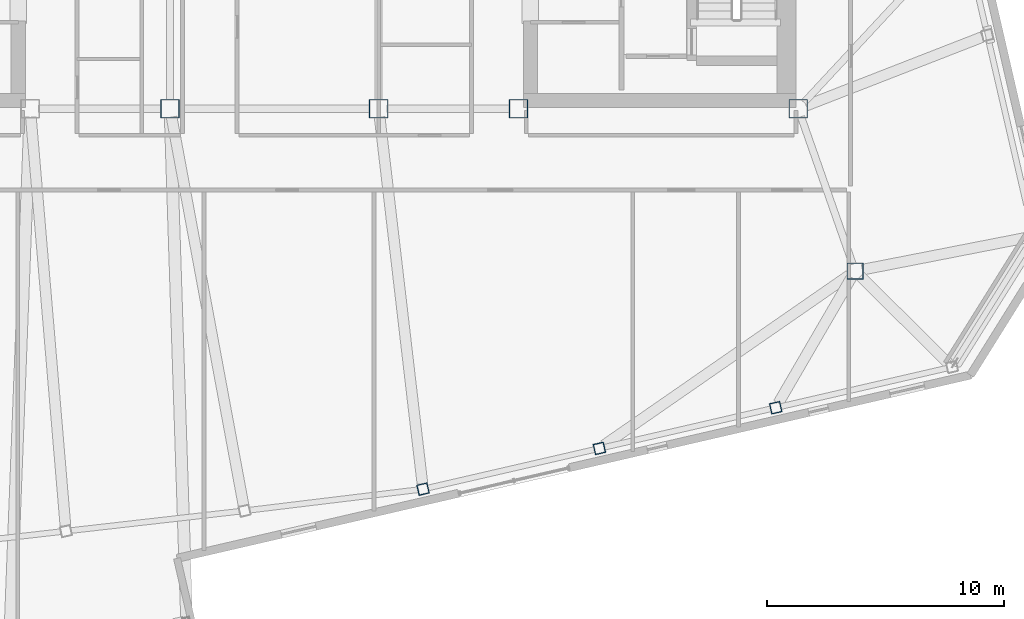
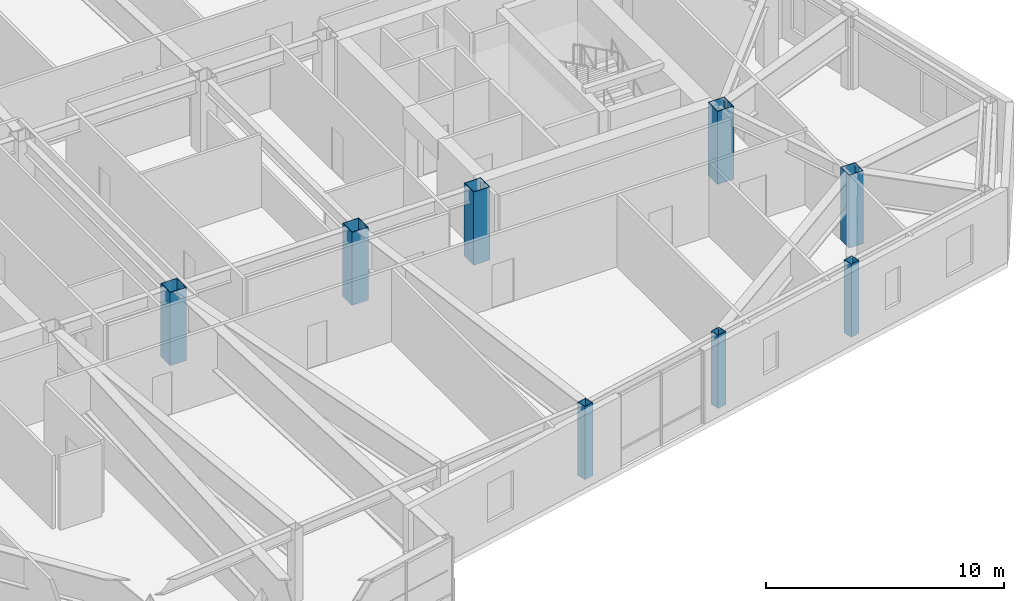
# One storey, part 2 of 23: 8 columns.
"""IFC4 building model written with IfcOpenShell, lengths in metres."""

from ifc_helpers import new_model, si_unit, direction, frame, origin, origin_2d, place, context, subcontext, project, spatial, hollow_rectangle, extrude, material, material_profile, profile_set, type_object, element, save


model = new_model("IFC4")

# Units and contexts
model_context = context("Model", 3, precision=1e-05, world=origin(), true_north=direction((0.0, 1.0)))
body_context = subcontext(model_context, "Body", "Model", "MODEL_VIEW")
ifc_project = project(units=[si_unit("LENGTHUNIT", "METRE"), si_unit("AREAUNIT", "SQUARE_METRE"), si_unit("VOLUMEUNIT", "CUBIC_METRE"), si_unit("PLANEANGLEUNIT", "RADIAN"), si_unit("MASSUNIT", "GRAM", prefix="KILO")], contexts=[model_context])

# Site, building, storey
site_placement = place(None, origin())
site = spatial("IfcSite", under=ifc_project, at=site_placement, CompositionType="ELEMENT")
building_placement = place(site_placement, origin())
building = spatial("IfcBuilding", under=site, at=building_placement, Name="Tavrogorsk Clinical Tower", CompositionType="ELEMENT")
storey_placement = place(building_placement, frame((0.0, 0.0, 277.0)))
storey = spatial("IfcBuildingStorey", under=building, at=storey_placement, Name="L64", CompositionType="ELEMENT", Elevation=277.0)

# Columns
ifc_material_1 = material(Name="Structural steel S440", Category="steel")
ifc_material_profile_1 = material_profile(ifc_material_1, hollow_rectangle(XDim=0.699951171875, YDim=0.699951171875, WallThickness=0.031982421875, at=origin_2d()), Name="BOX-700x700x32")
ifc_profile_set_1 = profile_set([ifc_material_profile_1], Name="Structural steel S440")
column_type_1 = type_object("IfcColumnType", Name="MegaCol_BOX700", PredefinedType="COLUMN", material=ifc_profile_set_1)
column_placement = place(storey_placement, frame((24.5, -13.199951171875, 0.0), z_axis=(0.0, 0.0, 1.0), x_axis=(1.0, 0.0, 0.0)))
element("IfcColumn", 1, at=column_placement, inside=storey, type_object=column_type_1, Name="L64 Spine Pilotis Column MC-P2", PredefinedType="COLUMN", context=body_context, shape_type="SweptSolid", body=[
    extrude(hollow_rectangle(XDim=0.699951171875, YDim=0.699951171875, WallThickness=0.031982421875, at=origin_2d()), origin(), (0.0, 0.0, 1.0), 3.739990234375),
])
ifc_material_2 = material(Name="Structural steel S440", Category="steel")
ifc_material_profile_2 = material_profile(ifc_material_2, hollow_rectangle(XDim=0.800048828125, YDim=0.800048828125, WallThickness=0.035888671875, at=origin_2d()), Name="BOX-800x800x36")
ifc_profile_set_2 = profile_set([ifc_material_profile_2], Name="Structural steel S440")
column_type_2 = type_object("IfcColumnType", Name="MegaCol_BOX800", PredefinedType="COLUMN", material=ifc_profile_set_2)
for number, where, z_axis, x_axis, name in (
    (2, (10.300048828125, -6.35009765625, 0.0), (0.0, 0.0, 1.0), (1.0, 0.0, 0.0), "L64 Mega Column MC-E1"),
    (3, (22.10009765625, -6.35009765625, 0.0), (0.0, 0.0, 1.0), (1.0, 0.0, 0.0), "L64 Mega Column MC-E3"),
    (4, (-4.39990234375, -6.35009765625, 0.0), (0.0, 0.0, 1.0), (1.0, 0.0, 0.0), "L64 Mega Column MC-C1"),
    (5, (4.39990234375, -6.35009765625, 0.0), (0.0, 0.0, 1.0), (1.0, 0.0, 0.0), "L64 Mega Column MC-C2"),
):
    element("IfcColumn", number, at=place(storey_placement, frame(where, z_axis=z_axis, x_axis=x_axis)), inside=storey, type_object=column_type_2, Name=name, PredefinedType="COLUMN", context=body_context, shape_type="SweptSolid", body=[
        extrude(hollow_rectangle(XDim=0.800048828125, YDim=0.800048828125, WallThickness=0.035888671875, at=origin_2d()), origin(), (0.0, 0.0, 1.0), 3.739990234375),
    ])
ifc_material_3 = material(Name="Structural steel S440", Category="steel")
ifc_material_profile_3 = material_profile(ifc_material_3, hollow_rectangle(XDim=0.449951171875, YDim=0.449951171875, WallThickness=0.02197265625, at=origin_2d()), Name="BOX-450x450x22")
ifc_profile_set_3 = profile_set([ifc_material_profile_3], Name="Structural steel S440")
column_type_3 = type_object("IfcColumnType", Name="PerimCol_B5_BOX450", PredefinedType="COLUMN", material=ifc_profile_set_3)
for number, where, z_axis, x_axis, name in (
    (6, (6.272705078125, -22.39697265625, 0.0), (0.0, 0.0, 1.0), (0.974370064785, 0.224951054344, 0.0), "L64 Perimeter Column S5"),
    (7, (13.711181640625, -20.6796875, 0.0), (0.0, 0.0, 1.0), (0.974370064785, 0.224951054344, 0.0), "L64 Perimeter Column S6"),
    (8, (21.14990234375, -18.96240234375, 0.0), (0.0, 0.0, 1.0), (0.974370064785, 0.224951054344, 0.0), "L64 Perimeter Column S7"),
):
    element("IfcColumn", number, at=place(storey_placement, frame(where, z_axis=z_axis, x_axis=x_axis)), inside=storey, type_object=column_type_3, Name=name, PredefinedType="COLUMN", context=body_context, shape_type="SweptSolid", body=[
        extrude(hollow_rectangle(XDim=0.449951171875, YDim=0.449951171875, WallThickness=0.02197265625, at=origin_2d()), origin(), (0.0, 0.0, 1.0), 3.739990234375),
    ])

save(model, "model.ifc")
